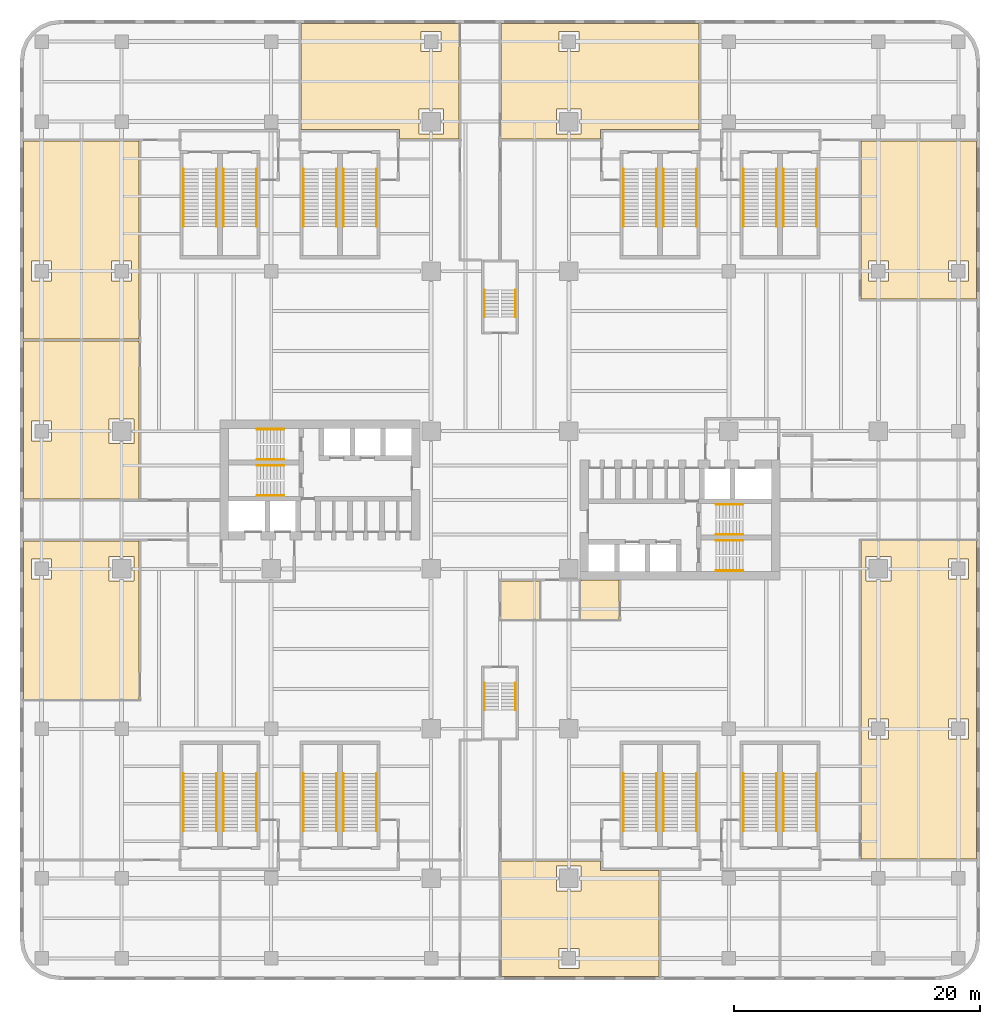
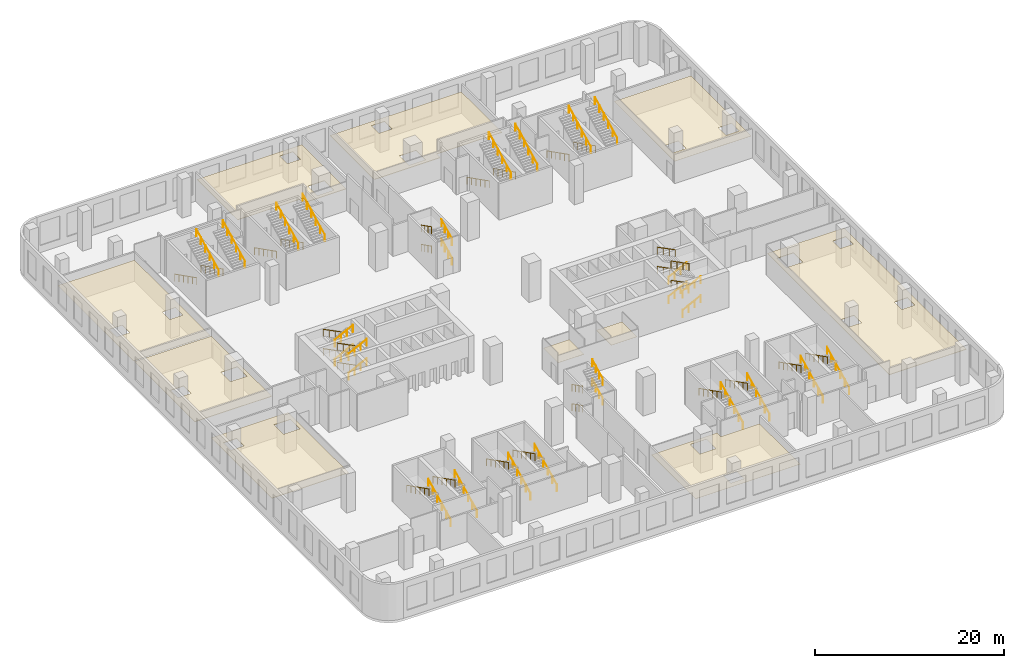
# One storey, part 17 of 17: 56 railings, 10 coverings.
"""IFC4 building model written with IfcOpenShell, lengths in metres."""

from ifc_helpers import new_model, si_unit, direction, frame, origin, origin_2d, place, context, subcontext, project, spatial, polyline, circle, outline, extrude, source, transform, mapped, material, layer, layer_set, type_object, element, save


model = new_model("IFC4")

# Units and contexts
model_context = context("Model", 3, precision=1e-05, world=origin(), true_north=direction((0.0, 1.0)))
body_context = subcontext(model_context, "Body", "Model", "MODEL_VIEW")
ifc_project = project(units=[si_unit("LENGTHUNIT", "METRE"), si_unit("AREAUNIT", "SQUARE_METRE"), si_unit("VOLUMEUNIT", "CUBIC_METRE"), si_unit("PLANEANGLEUNIT", "RADIAN"), si_unit("MASSUNIT", "GRAM", prefix="KILO")], contexts=[model_context])

# Site, building, storey
site_placement = place(None, origin())
site = spatial("IfcSite", under=ifc_project, at=site_placement, CompositionType="ELEMENT")
building_placement = place(site_placement, origin())
building = spatial("IfcBuilding", under=site, at=building_placement, Name="Trellis Farm Tower", CompositionType="ELEMENT")
storey_placement = place(building_placement, frame((0.0, 0.0, 19.0)))
storey = spatial("IfcBuildingStorey", under=building, at=storey_placement, Name="L03", CompositionType="ELEMENT", Elevation=19.0)

# Coverings
ifc_material_1 = material(Name="Moisture resistant plasterboard on metal framing")
ifc_layer_1 = layer(ifc_material_1, 0.02490234375)
ifc_layer_set_1 = layer_set([ifc_layer_1], Name="PLASTERBOARD CEILING 25")
covering_type_1 = type_object("IfcCoveringType", Name="PLASTERBOARD CEILING 25", PredefinedType="CEILING", material=ifc_layer_set_1)
placement = place(storey_placement, frame((0.0, 0.0, 2.699951171875)))
element("IfcCovering", 1, at=placement, inside=storey, type_object=covering_type_1, Name="CL2 suspended ceiling", PredefinedType="CEILING", context=body_context, shape_type="SweptSolid", body=[
    extrude(outline(polyline([(0.0625, -9.699951171875), (0.0625, -6.5625), (3.199951171875, -6.5625), (3.199951171875, -9.699951171875), (0.0625, -9.699951171875)])), origin(), (0.0, 0.0, 1.0), 0.025146484375),
])
element("IfcCovering", 2, at=placement, inside=storey, type_object=covering_type_1, Name="CL2 suspended ceiling", PredefinedType="CEILING", context=body_context, shape_type="SweptSolid", body=[
    extrude(outline(polyline([(0.10009765625, -29.3125), (8.14990234375, -29.3125), (8.14990234375, -30.10009765625), (12.89990234375, -30.10009765625), (12.89990234375, -38.699951171875), (0.10009765625, -38.699951171875), (0.10009765625, -29.3125)]), holes=[polyline([(4.800048828125, -38.050048828125), (6.39990234375, -38.050048828125), (6.39990234375, -36.449951171875), (4.800048828125, -36.449951171875), (4.800048828125, -38.050048828125)]), polyline([(4.60009765625, -31.75), (6.60009765625, -31.75), (6.60009765625, -29.75), (4.60009765625, -29.75), (4.60009765625, -31.75)])]), origin(), (0.0, 0.0, 1.0), 0.025146484375),
])
element("IfcCovering", 3, at=placement, inside=storey, type_object=covering_type_1, Name="CL2 suspended ceiling", PredefinedType="CEILING", context=body_context, shape_type="SweptSolid", body=[
    extrude(outline(polyline([(29.3125, 16.35009765625), (29.3125, 29.14990234375), (38.699951171875, 29.14990234375), (38.699951171875, 16.35009765625), (29.3125, 16.35009765625)]), holes=[polyline([(29.949951171875, 17.800048828125), (31.550048828125, 17.800048828125), (31.550048828125, 19.39990234375), (29.949951171875, 19.39990234375), (29.949951171875, 17.800048828125)]), polyline([(36.449951171875, 17.800048828125), (38.050048828125, 17.800048828125), (38.050048828125, 19.39990234375), (36.449951171875, 19.39990234375), (36.449951171875, 17.800048828125)])]), origin(), (0.0, 0.0, 1.0), 0.025146484375),
])
element("IfcCovering", 4, at=placement, inside=storey, type_object=covering_type_1, Name="CL2 suspended ceiling", PredefinedType="CEILING", context=body_context, shape_type="SweptSolid", body=[
    extrude(outline(polyline([(-29.3125, 29.14990234375), (-29.3125, 13.10009765625), (-38.699951171875, 13.10009765625), (-38.699951171875, 29.14990234375), (-29.3125, 29.14990234375)]), holes=[polyline([(-38.050048828125, 17.800048828125), (-36.449951171875, 17.800048828125), (-36.449951171875, 19.39990234375), (-38.050048828125, 19.39990234375), (-38.050048828125, 17.800048828125)]), polyline([(-31.550048828125, 17.800048828125), (-29.949951171875, 17.800048828125), (-29.949951171875, 19.39990234375), (-31.550048828125, 19.39990234375), (-31.550048828125, 17.800048828125)])]), origin(), (0.0, 0.0, 1.0), 0.025146484375),
])
ifc_material_2 = material(Name="Oak veneered slat panel on acoustic backing")
ifc_layer_2 = layer(ifc_material_2, 0.06005859375)
ifc_layer_set_2 = layer_set([ifc_layer_2], Name="TIMBER ACOUSTIC SLAT CEILING 60")
covering_type_2 = type_object("IfcCoveringType", Name="TIMBER ACOUSTIC SLAT CEILING 60", PredefinedType="CEILING", material=ifc_layer_set_2)
element("IfcCovering", 5, at=placement, inside=storey, type_object=covering_type_2, Name="CL3 suspended ceiling", PredefinedType="CEILING", context=body_context, shape_type="SweptSolid", body=[
    extrude(outline(polyline([(16.14990234375, 30.10009765625), (8.14990234375, 30.10009765625), (8.14990234375, 29.3125), (0.10009765625, 29.3125), (0.10009765625, 38.699951171875), (16.14990234375, 38.699951171875), (16.14990234375, 30.10009765625)]), holes=[polyline([(4.60009765625, 29.75), (6.60009765625, 29.75), (6.60009765625, 31.75), (4.60009765625, 31.75), (4.60009765625, 29.75)]), polyline([(4.800048828125, 36.449951171875), (6.39990234375, 36.449951171875), (6.39990234375, 38.050048828125), (4.800048828125, 38.050048828125), (4.800048828125, 36.449951171875)])]), origin(), (0.0, 0.0, 1.0), 0.06005859375),
])
element("IfcCovering", 6, at=placement, inside=storey, type_object=covering_type_2, Name="CL3 suspended ceiling", PredefinedType="CEILING", context=body_context, shape_type="SweptSolid", body=[
    extrude(outline(polyline([(-3.35009765625, 29.3125), (-8.14990234375, 29.3125), (-8.14990234375, 30.10009765625), (-16.14990234375, 30.10009765625), (-16.14990234375, 38.699951171875), (-3.35009765625, 38.699951171875), (-3.35009765625, 29.3125)]), holes=[polyline([(-6.60009765625, 29.75), (-4.60009765625, 29.75), (-4.60009765625, 31.75), (-6.60009765625, 31.75), (-6.60009765625, 29.75)]), polyline([(-6.39990234375, 36.449951171875), (-4.800048828125, 36.449951171875), (-4.800048828125, 38.050048828125), (-6.39990234375, 38.050048828125), (-6.39990234375, 36.449951171875)])]), origin(), (0.0, 0.0, 1.0), 0.06005859375),
])
element("IfcCovering", 7, at=placement, inside=storey, type_object=covering_type_2, Name="CL3 suspended ceiling", PredefinedType="CEILING", context=body_context, shape_type="SweptSolid", body=[
    extrude(outline(polyline([(29.3125, -29.14990234375), (29.3125, -3.300048828125), (38.699951171875, -3.300048828125), (38.699951171875, -29.14990234375), (29.3125, -29.14990234375)]), holes=[polyline([(29.949951171875, -19.39990234375), (31.550048828125, -19.39990234375), (31.550048828125, -17.800048828125), (29.949951171875, -17.800048828125), (29.949951171875, -19.39990234375)]), polyline([(36.449951171875, -19.39990234375), (38.050048828125, -19.39990234375), (38.050048828125, -17.800048828125), (36.449951171875, -17.800048828125), (36.449951171875, -19.39990234375)]), polyline([(29.75, -6.60009765625), (31.75, -6.60009765625), (31.75, -4.60009765625), (29.75, -4.60009765625), (29.75, -6.60009765625)]), polyline([(36.449951171875, -6.39990234375), (38.050048828125, -6.39990234375), (38.050048828125, -4.800048828125), (36.449951171875, -4.800048828125), (36.449951171875, -6.39990234375)])]), origin(), (0.0, 0.0, 1.0), 0.06005859375),
])
element("IfcCovering", 8, at=placement, inside=storey, type_object=covering_type_2, Name="CL3 suspended ceiling", PredefinedType="CEILING", context=body_context, shape_type="SweptSolid", body=[
    extrude(outline(polyline([(-29.3125, -3.35009765625), (-29.3125, -16.199951171875), (-38.699951171875, -16.199951171875), (-38.699951171875, -3.35009765625), (-29.3125, -3.35009765625)]), holes=[polyline([(-38.050048828125, -6.39990234375), (-36.449951171875, -6.39990234375), (-36.449951171875, -4.800048828125), (-38.050048828125, -4.800048828125), (-38.050048828125, -6.39990234375)]), polyline([(-31.75, -6.60009765625), (-29.75, -6.60009765625), (-29.75, -4.60009765625), (-31.75, -4.60009765625), (-31.75, -6.60009765625)])]), origin(), (0.0, 0.0, 1.0), 0.06005859375),
])
element("IfcCovering", 9, at=placement, inside=storey, type_object=covering_type_2, Name="CL3 suspended ceiling", PredefinedType="CEILING", context=body_context, shape_type="SweptSolid", body=[
    extrude(outline(polyline([(-29.3125, 12.89990234375), (-29.3125, 0.10009765625), (-38.699951171875, 0.10009765625), (-38.699951171875, 12.89990234375), (-29.3125, 12.89990234375)]), holes=[polyline([(-38.050048828125, 4.800048828125), (-36.449951171875, 4.800048828125), (-36.449951171875, 6.39990234375), (-38.050048828125, 6.39990234375), (-38.050048828125, 4.800048828125)]), polyline([(-31.75, 4.60009765625), (-29.75, 4.60009765625), (-29.75, 6.60009765625), (-31.75, 6.60009765625), (-31.75, 4.60009765625)])]), origin(), (0.0, 0.0, 1.0), 0.06005859375),
])

# Railings
ifc_material_3 = material(Name="Stainless steel", Category="steel")
railing_type = type_object("IfcRailingType", Name="STAIR HANDRAIL 900", PredefinedType="HANDRAIL", material=ifc_material_3)
shared_shape_1 = source(origin(), body_context, "Body", "SweptSolid", [
    extrude(circle(Radius=0.02392578125, at=origin_2d()), frame((0.0, 0.0, 0.8759765625), z_axis=(0.0, 0.892617056473, 0.450815694596), x_axis=(-1.0, 0.0, 0.0)), (0.0, 0.0, 1.0), 2.464599609375),
    extrude(circle(Radius=0.02099609375, at=origin_2d()), origin(), (0.0, 0.0, 1.0), 0.851806640625),
    extrude(circle(Radius=0.02099609375, at=origin_2d()), frame((0.0, 0.7333984375, 0.370361328125)), (0.0, 0.0, 1.0), 0.851806640625),
    extrude(circle(Radius=0.02099609375, at=origin_2d()), frame((0.0, 1.466552734375, 0.74072265625)), (0.0, 0.0, 1.0), 0.851806640625),
    extrude(circle(Radius=0.02099609375, at=origin_2d()), frame((0.0, 2.199951171875, 1.111083984375)), (0.0, 0.0, 1.0), 0.851806640625),
])
for number, where, name in (
    (10, (1.25, 14.85009765625, 0.138916015625), "Stair handrail"),
    (11, (1.25, 14.85009765625, 2.638916015625), "Stair handrail"),
    (12, (1.25, -17.050048828125, 1.388916015625), "Stair handrail"),
    (13, (1.25, -17.050048828125, 3.888916015625), "Stair handrail"),
):
    element("IfcRailing", number, at=place(storey_placement, frame(where)), inside=storey, type_object=railing_type, Name=name, PredefinedType="HANDRAIL", context=body_context, shape_type="MappedRepresentation", body=[
        mapped(shared_shape_1, transform((0.0, 0.0, 0.0))),
    ])
shared_shape_2 = source(origin(), body_context, "Body", "SweptSolid", [
    extrude(circle(Radius=0.02392578125, at=origin_2d()), frame((0.0, 0.0, 0.8759765625), z_axis=(0.0, -0.892617056473, 0.450815694596), x_axis=(1.0, 0.0, 0.0)), (0.0, 0.0, 1.0), 2.464599609375),
    extrude(circle(Radius=0.02099609375, at=origin_2d()), origin(), (0.0, 0.0, 1.0), 0.851806640625),
    extrude(circle(Radius=0.02099609375, at=origin_2d()), frame((0.0, -0.7333984375, 0.370361328125)), (0.0, 0.0, 1.0), 0.851806640625),
    extrude(circle(Radius=0.02099609375, at=origin_2d()), frame((0.0, -1.466552734375, 0.74072265625)), (0.0, 0.0, 1.0), 0.851806640625),
    extrude(circle(Radius=0.02099609375, at=origin_2d()), frame((0.0, -2.199951171875, 1.111083984375)), (0.0, 0.0, 1.0), 0.851806640625),
])
for number, where, name in (
    (14, (-1.25, 17.050048828125, 1.388916015625), "Stair handrail"),
    (15, (-1.25, 17.050048828125, 3.888916015625), "Stair handrail"),
    (16, (-1.25, -14.85009765625, 0.138916015625), "Stair handrail"),
    (17, (-1.25, -14.85009765625, 2.638916015625), "Stair handrail"),
):
    element("IfcRailing", number, at=place(storey_placement, frame(where)), inside=storey, type_object=railing_type, Name=name, PredefinedType="HANDRAIL", context=body_context, shape_type="MappedRepresentation", body=[
        mapped(shared_shape_2, transform((0.0, 0.0, 0.0))),
    ])
shared_shape_3 = source(origin(), body_context, "Body", "SweptSolid", [
    extrude(circle(Radius=0.02392578125, at=origin_2d()), frame((0.0, 0.0, 0.8759765625), z_axis=(0.892617056473, 0.0, 0.450815694596), x_axis=(0.0, 1.0, 0.0)), (0.0, 0.0, 1.0), 2.464599609375),
    extrude(circle(Radius=0.02099609375, at=origin_2d()), origin(), (0.0, 0.0, 1.0), 0.851806640625),
    extrude(circle(Radius=0.02099609375, at=origin_2d()), frame((0.7333984375, 0.0, 0.370361328125)), (0.0, 0.0, 1.0), 0.851806640625),
    extrude(circle(Radius=0.02099609375, at=origin_2d()), frame((1.466552734375, 0.0, 0.74072265625)), (0.0, 0.0, 1.0), 0.851806640625),
    extrude(circle(Radius=0.02099609375, at=origin_2d()), frame((2.199951171875, 0.0, 1.111083984375)), (0.0, 0.0, 1.0), 0.851806640625),
])
for number, where, name in (
    (18, (17.550048828125, -5.75, 0.138916015625), "Stair handrail"),
    (19, (17.550048828125, -5.75, 2.638916015625), "Stair handrail"),
    (20, (17.550048828125, -2.800048828125, 0.138916015625), "Stair handrail"),
    (21, (17.550048828125, -2.800048828125, 2.638916015625), "Stair handrail"),
    (22, (-19.75, 3.300048828125, 1.388916015625), "Stair handrail"),
    (23, (-19.75, 3.300048828125, 3.888916015625), "Stair handrail"),
    (24, (-19.75, 0.35009765625, 1.388916015625), "Stair handrail"),
    (25, (-19.75, 0.35009765625, 3.888916015625), "Stair handrail"),
):
    element("IfcRailing", number, at=place(storey_placement, frame(where)), inside=storey, type_object=railing_type, Name=name, PredefinedType="HANDRAIL", context=body_context, shape_type="MappedRepresentation", body=[
        mapped(shared_shape_3, transform((0.0, 0.0, 0.0))),
    ])
shared_shape_4 = source(origin(), body_context, "Body", "SweptSolid", [
    extrude(circle(Radius=0.02392578125, at=origin_2d()), frame((0.0, 0.0, 0.8759765625), z_axis=(-0.892617056473, 0.0, 0.450815694596), x_axis=(0.0, -1.0, 0.0)), (0.0, 0.0, 1.0), 2.464599609375),
    extrude(circle(Radius=0.02099609375, at=origin_2d()), origin(), (0.0, 0.0, 1.0), 0.851806640625),
    extrude(circle(Radius=0.02099609375, at=origin_2d()), frame((-0.7333984375, 0.0, 0.370361328125)), (0.0, 0.0, 1.0), 0.851806640625),
    extrude(circle(Radius=0.02099609375, at=origin_2d()), frame((-1.466552734375, 0.0, 0.74072265625)), (0.0, 0.0, 1.0), 0.851806640625),
    extrude(circle(Radius=0.02099609375, at=origin_2d()), frame((-2.199951171875, 0.0, 1.111083984375)), (0.0, 0.0, 1.0), 0.851806640625),
])
for number, where, name in (
    (26, (19.75, -3.300048828125, 1.388916015625), "Stair handrail"),
    (27, (19.75, -3.300048828125, 3.888916015625), "Stair handrail"),
    (28, (19.75, -0.35009765625, 1.388916015625), "Stair handrail"),
    (29, (19.75, -0.35009765625, 3.888916015625), "Stair handrail"),
    (30, (-17.550048828125, 5.75, 0.138916015625), "Stair handrail"),
    (31, (-17.550048828125, 5.75, 2.638916015625), "Stair handrail"),
    (32, (-17.550048828125, 2.800048828125, 0.138916015625), "Stair handrail"),
    (33, (-17.550048828125, 2.800048828125, 2.638916015625), "Stair handrail"),
):
    element("IfcRailing", number, at=place(storey_placement, frame(where)), inside=storey, type_object=railing_type, Name=name, PredefinedType="HANDRAIL", context=body_context, shape_type="MappedRepresentation", body=[
        mapped(shared_shape_4, transform((0.0, 0.0, 0.0))),
    ])
shared_shape_5 = source(origin(), body_context, "Body", "SweptSolid", [
    extrude(circle(Radius=0.02392578125, at=origin_2d()), frame((0.0, 0.0, 0.8759765625), z_axis=(0.0, -0.892611158778, 0.450827371868), x_axis=(1.0, 0.0, 0.0)), (0.0, 0.0, 1.0), 5.2373046875),
    extrude(circle(Radius=0.02099609375, at=origin_2d()), origin(), (0.0, 0.0, 1.0), 0.851806640625),
    extrude(circle(Radius=0.02099609375, at=origin_2d()), frame((0.0, -0.93505859375, 0.47216796875)), (0.0, 0.0, 1.0), 0.851806640625),
    extrude(circle(Radius=0.02099609375, at=origin_2d()), frame((0.0, -1.869873046875, 0.9443359375)), (0.0, 0.0, 1.0), 0.851806640625),
    extrude(circle(Radius=0.02099609375, at=origin_2d()), frame((0.0, -2.804931640625, 1.416748046875)), (0.0, 0.0, 1.0), 0.851806640625),
    extrude(circle(Radius=0.02099609375, at=origin_2d()), frame((0.0, -3.73974609375, 1.888916015625)), (0.0, 0.0, 1.0), 0.851806640625),
    extrude(circle(Radius=0.02099609375, at=origin_2d()), frame((0.0, -4.6748046875, 2.361083984375)), (0.0, 0.0, 1.0), 0.851806640625),
])
for number, where, name in (
    (34, (-25.699951171875, 26.89990234375, 0.138916015625), "Stair handrail"),
    (35, (-22.47998046875, 26.89990234375, 0.138916015625), "Stair handrail"),
    (36, (-15.949951171875, 26.89990234375, 0.138916015625), "Stair handrail"),
    (37, (-12.72998046875, 26.89990234375, 0.138916015625), "Stair handrail"),
    (38, (10.050048828125, 26.89990234375, 0.138916015625), "Stair handrail"),
    (39, (13.27001953125, 26.89990234375, 0.138916015625), "Stair handrail"),
    (40, (19.800048828125, 26.89990234375, 0.138916015625), "Stair handrail"),
    (41, (23.02001953125, 26.89990234375, 0.138916015625), "Stair handrail"),
    (42, (-25.699951171875, -22.22509765625, 2.638916015625), "Stair handrail"),
    (43, (-22.47998046875, -22.22509765625, 2.638916015625), "Stair handrail"),
    (44, (-15.949951171875, -22.22509765625, 2.638916015625), "Stair handrail"),
    (45, (-12.72998046875, -22.22509765625, 2.638916015625), "Stair handrail"),
    (46, (10.050048828125, -22.22509765625, 2.638916015625), "Stair handrail"),
    (47, (13.27001953125, -22.22509765625, 2.638916015625), "Stair handrail"),
    (48, (19.800048828125, -22.22509765625, 2.638916015625), "Stair handrail"),
    (49, (23.02001953125, -22.22509765625, 2.638916015625), "Stair handrail"),
):
    element("IfcRailing", number, at=place(storey_placement, frame(where)), inside=storey, type_object=railing_type, Name=name, PredefinedType="HANDRAIL", context=body_context, shape_type="MappedRepresentation", body=[
        mapped(shared_shape_5, transform((0.0, 0.0, 0.0))),
    ])
shared_shape_6 = source(origin(), body_context, "Body", "SweptSolid", [
    extrude(circle(Radius=0.02392578125, at=origin_2d()), frame((0.0, 0.0, 0.8759765625), z_axis=(0.0, 0.892611158778, 0.450827371868), x_axis=(-1.0, 0.0, 0.0)), (0.0, 0.0, 1.0), 5.2373046875),
    extrude(circle(Radius=0.02099609375, at=origin_2d()), origin(), (0.0, 0.0, 1.0), 0.851806640625),
    extrude(circle(Radius=0.02099609375, at=origin_2d()), frame((0.0, 0.93505859375, 0.47216796875)), (0.0, 0.0, 1.0), 0.851806640625),
    extrude(circle(Radius=0.02099609375, at=origin_2d()), frame((0.0, 1.869873046875, 0.9443359375)), (0.0, 0.0, 1.0), 0.851806640625),
    extrude(circle(Radius=0.02099609375, at=origin_2d()), frame((0.0, 2.804931640625, 1.416748046875)), (0.0, 0.0, 1.0), 0.851806640625),
    extrude(circle(Radius=0.02099609375, at=origin_2d()), frame((0.0, 3.73974609375, 1.888916015625)), (0.0, 0.0, 1.0), 0.851806640625),
    extrude(circle(Radius=0.02099609375, at=origin_2d()), frame((0.0, 4.6748046875, 2.361083984375)), (0.0, 0.0, 1.0), 0.851806640625),
])
for number, where, name in (
    (50, (-23.02001953125, 22.22509765625, 2.638916015625), "Stair handrail"),
    (51, (-19.800048828125, 22.22509765625, 2.638916015625), "Stair handrail"),
    (52, (-13.27001953125, 22.22509765625, 2.638916015625), "Stair handrail"),
    (53, (-10.050048828125, 22.22509765625, 2.638916015625), "Stair handrail"),
    (54, (12.72998046875, 22.22509765625, 2.638916015625), "Stair handrail"),
    (55, (15.949951171875, 22.22509765625, 2.638916015625), "Stair handrail"),
    (56, (22.47998046875, 22.22509765625, 2.638916015625), "Stair handrail"),
    (57, (25.699951171875, 22.22509765625, 2.638916015625), "Stair handrail"),
    (58, (-23.02001953125, -26.89990234375, 0.138916015625), "Stair handrail"),
    (59, (-19.800048828125, -26.89990234375, 0.138916015625), "Stair handrail"),
    (60, (-13.27001953125, -26.89990234375, 0.138916015625), "Stair handrail"),
    (61, (-10.050048828125, -26.89990234375, 0.138916015625), "Stair handrail"),
    (62, (12.72998046875, -26.89990234375, 0.138916015625), "Stair handrail"),
    (63, (15.949951171875, -26.89990234375, 0.138916015625), "Stair handrail"),
    (64, (22.47998046875, -26.89990234375, 0.138916015625), "Stair handrail"),
    (65, (25.699951171875, -26.89990234375, 0.138916015625), "Stair handrail"),
):
    element("IfcRailing", number, at=place(storey_placement, frame(where)), inside=storey, type_object=railing_type, Name=name, PredefinedType="HANDRAIL", context=body_context, shape_type="MappedRepresentation", body=[
        mapped(shared_shape_6, transform((0.0, 0.0, 0.0))),
    ])

# Covering
shared_shape_7 = source(origin(), body_context, "Body", "SweptSolid", [
    extrude(outline(polyline([(6.550048828125, -9.699951171875), (6.550048828125, -6.60009765625), (6.60009765625, -6.60009765625), (6.60009765625, -6.5), (9.6875, -6.5), (9.6875, -9.699951171875), (6.550048828125, -9.699951171875)])), origin(), (0.0, 0.0, 1.0), 0.025146484375),
])
element("IfcCovering", 66, at=placement, inside=storey, type_object=covering_type_1, Name="CL2 suspended ceiling", PredefinedType="CEILING", context=body_context, shape_type="MappedRepresentation", body=[
    mapped(shared_shape_7, transform((0.0, 0.0, 0.0))),
])

save(model, "model.ifc")
